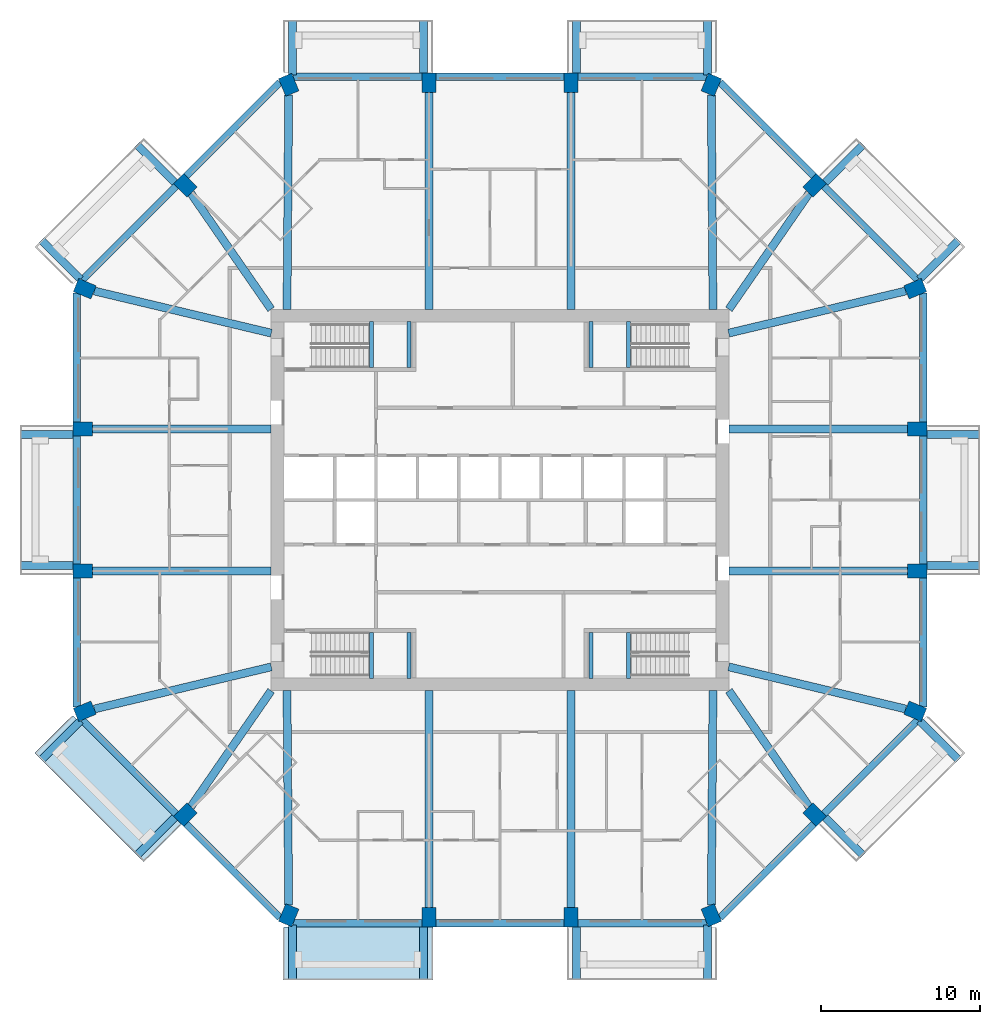
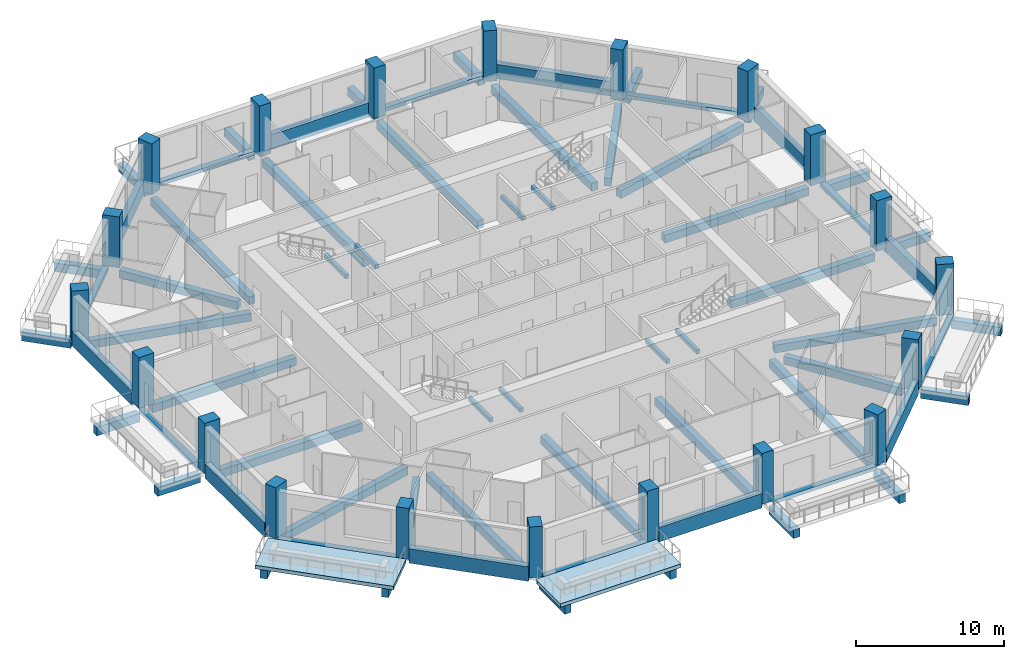
# One storey, part 1 of 13: 68 beams, 20 columns, 2 slabs.
"""IFC4 building model written with IfcOpenShell, lengths in metres."""

from ifc_helpers import new_model, si_unit, direction, frame, origin, origin_2d, place, context, subcontext, project, spatial, polyline, rectangle, outline, extrude, material, layer, layer_set, material_profile, profile_set, type_object, element, save


model = new_model("IFC4")

# Units and contexts
model_context = context("Model", 3, precision=1e-05, world=origin(), true_north=direction((0.0, 1.0)))
body_context = subcontext(model_context, "Body", "Model", "MODEL_VIEW")
ifc_project = project(units=[si_unit("LENGTHUNIT", "METRE"), si_unit("AREAUNIT", "SQUARE_METRE"), si_unit("VOLUMEUNIT", "CUBIC_METRE"), si_unit("PLANEANGLEUNIT", "RADIAN"), si_unit("MASSUNIT", "GRAM", prefix="KILO")], contexts=[model_context])

# Site, building, storey
site_placement = place(None, origin())
site = spatial("IfcSite", under=ifc_project, at=site_placement, CompositionType="ELEMENT")
building_placement = place(site_placement, origin())
building = spatial("IfcBuilding", under=site, at=building_placement, Name="Msitu Wima Residences", CompositionType="ELEMENT")
storey_placement = place(building_placement, frame((0.0, 0.0, 152.699951171875)))
storey = spatial("IfcBuildingStorey", under=building, at=storey_placement, Name="L35", CompositionType="ELEMENT", Elevation=152.699951171875)

# Columns
ifc_material_1 = material(Name="Concrete C70/85", Category="concrete")
ifc_material_profile_1 = material_profile(ifc_material_1, rectangle(XDim=0.89990234375, YDim=1.199951171875, at=origin_2d()), Name="RC 900x1200")
ifc_profile_set_1 = profile_set([ifc_material_profile_1], Name="Concrete C70/85")
column_type = type_object("IfcColumnType", Name="Column RC 900x1200 Concrete C70/85", PredefinedType="COLUMN", material=ifc_profile_set_1)
for number, where, z_axis, x_axis, name in (
    (1, (26.12353515625, -13.291259765625, 0.0), (0.0, 0.0, 1.0), (0.382683496864, 0.923879505795, 0.0), "Column L35 C-E0"),
    (2, (26.25, -4.46875, 0.0), (0.0, 0.0, 1.0), (0.0, 1.0, 0.0), "Column L35 C-E1"),
    (3, (26.25, 4.46875, 0.0), (0.0, 0.0, 1.0), (0.0, 1.0, 0.0), "Column L35 C-E2"),
    (4, (26.12353515625, 13.291259765625, 0.0), (0.0, 0.0, 1.0), (-0.382683496864, 0.923879505795, 0.0), "Column L35 C-NE0"),
    (5, (19.796875, 19.796875, 0.0), (0.0, 0.0, 1.0), (-0.707106781187, 0.707106781187, 0.0), "Column L35 C-NE1"),
    (6, (13.291259765625, 26.12353515625, 0.0), (0.0, 0.0, 1.0), (-0.923879505795, 0.382683496864, 0.0), "Column L35 C-N0"),
    (7, (4.46875, 26.25, 0.0), (0.0, 0.0, 1.0), (-1.0, 0.0, 0.0), "Column L35 C-N1"),
    (8, (-4.46875, 26.25, 0.0), (0.0, 0.0, 1.0), (-1.0, 0.0, 0.0), "Column L35 C-N2"),
    (9, (-13.291259765625, 26.12353515625, 0.0), (0.0, 0.0, 1.0), (-0.923879505795, -0.382683496864, 0.0), "Column L35 C-NW0"),
    (10, (-19.796875, 19.796875, 0.0), (0.0, 0.0, 1.0), (-0.707106781187, -0.707106781187, 0.0), "Column L35 C-NW1"),
    (11, (-26.12353515625, 13.291259765625, 0.0), (0.0, 0.0, 1.0), (-0.382683496864, -0.923879505795, 0.0), "Column L35 C-W0"),
    (12, (-26.25, 4.46875, 0.0), (0.0, 0.0, 1.0), (0.0, -1.0, 0.0), "Column L35 C-W1"),
    (13, (-26.25, -4.46875, 0.0), (0.0, 0.0, 1.0), (0.0, -1.0, 0.0), "Column L35 C-W2"),
    (14, (-26.12353515625, -13.291259765625, 0.0), (0.0, 0.0, 1.0), (0.382683496864, -0.923879505795, 0.0), "Column L35 C-SW0"),
    (15, (-19.796875, -19.796875, 0.0), (0.0, 0.0, 1.0), (0.707106781187, -0.707106781187, 0.0), "Column L35 C-SW1"),
    (16, (-13.291259765625, -26.12353515625, 0.0), (0.0, 0.0, 1.0), (0.923879505795, -0.382683496864, 0.0), "Column L35 C-S0"),
    (17, (-4.46875, -26.25, 0.0), (0.0, 0.0, 1.0), (1.0, 0.0, 0.0), "Column L35 C-S1"),
    (18, (4.46875, -26.25, 0.0), (0.0, 0.0, 1.0), (1.0, 0.0, 0.0), "Column L35 C-S2"),
    (19, (13.291259765625, -26.12353515625, 0.0), (0.0, 0.0, 1.0), (0.923879505795, 0.382683496864, 0.0), "Column L35 C-SE0"),
    (20, (19.796875, -19.796875, 0.0), (0.0, 0.0, 1.0), (0.707106781187, 0.707106781187, 0.0), "Column L35 C-SE1"),
):
    element("IfcColumn", number, at=place(storey_placement, frame(where, z_axis=z_axis, x_axis=x_axis)), inside=storey, type_object=column_type, Name=name, PredefinedType="COLUMN", context=body_context, shape_type="SweptSolid", body=[
        extrude(rectangle(XDim=0.89990234375, YDim=1.199951171875, at=origin_2d()), origin(), (0.0, 0.0, 1.0), 4.199951171875),
    ])

# Beams
ifc_material_2 = material(Name="Concrete C50/60", Category="concrete")
ifc_material_profile_2 = material_profile(ifc_material_2, rectangle(XDim=0.5, YDim=0.64990234375, at=origin_2d()), Name="RC 500x650")
ifc_profile_set_2 = profile_set([ifc_material_profile_2], Name="Concrete C50/60")
beam_type_1 = type_object("IfcBeamType", Name="Beam RC 500x650 Concrete C50/60", PredefinedType="BEAM", material=ifc_profile_set_2)
beam_1_placement = place(storey_placement, frame((25.5322265625, -13.150634765625, -0.574951171875), z_axis=(-0.972805528659, 0.231623408598, 0.0), x_axis=(-0.231623408598, -0.972805528659, 0.0)))
element("IfcBeam", 21, at=beam_1_placement, inside=storey, type_object=beam_type_1, Name="Beam L35 C-E0", PredefinedType="BEAM", context=body_context, shape_type="SweptSolid", body=[
    extrude(rectangle(XDim=0.5, YDim=0.64990234375, at=origin_2d()), origin(), (0.0, 0.0, 1.0), 11.455322265625),
])
for number, where, z_axis, x_axis, name in (
    (22, (25.64990234375, -4.46875, -0.574951171875), (-1.0, 0.0, 0.0), (0.0, -1.0, 0.0), "Beam L35 C-E1"),
    (23, (25.64990234375, 4.46875, -0.574951171875), (-1.0, 0.0, 0.0), (0.0, -1.0, 0.0), "Beam L35 C-E2"),
):
    element("IfcBeam", number, at=place(storey_placement, frame(where, z_axis=z_axis, x_axis=x_axis)), inside=storey, type_object=beam_type_1, Name=name, PredefinedType="BEAM", context=body_context, shape_type="SweptSolid", body=[
        extrude(rectangle(XDim=0.5, YDim=0.64990234375, at=origin_2d()), origin(), (0.0, 0.0, 1.0), 11.25),
    ])
beam_2_placement = place(storey_placement, frame((25.5322265625, 13.150634765625, -0.574951171875), z_axis=(-0.972805528659, -0.231623408598, 0.0), x_axis=(0.231623408598, -0.972805528659, 0.0)))
element("IfcBeam", 24, at=beam_2_placement, inside=storey, type_object=beam_type_1, Name="Beam L35 C-NE0", PredefinedType="BEAM", context=body_context, shape_type="SweptSolid", body=[
    extrude(rectangle(XDim=0.5, YDim=0.64990234375, at=origin_2d()), origin(), (0.0, 0.0, 1.0), 11.455322265625),
])
beam_3_placement = place(storey_placement, frame((19.44970703125, 19.29541015625, -0.574951171875), z_axis=(-0.569144158363, -0.822237755763, 0.0), x_axis=(0.822237755763, -0.569144158363, 0.0)))
element("IfcBeam", 25, at=beam_3_placement, inside=storey, type_object=beam_type_1, Name="Beam L35 C-NE1", PredefinedType="BEAM", context=body_context, shape_type="SweptSolid", body=[
    extrude(rectangle(XDim=0.5, YDim=0.64990234375, at=origin_2d()), origin(), (0.0, 0.0, 1.0), 8.87255859375),
])
beam_4_placement = place(storey_placement, frame((13.29638671875, 25.471923828125, -0.574951171875), z_axis=(0.007694865426, -0.999970394085, 0.0), x_axis=(0.999970394085, 0.007694865426, 0.0)))
element("IfcBeam", 26, at=beam_4_placement, inside=storey, type_object=beam_type_1, Name="Beam L35 C-N0", PredefinedType="BEAM", context=body_context, shape_type="SweptSolid", body=[
    extrude(rectangle(XDim=0.5, YDim=0.64990234375, at=origin_2d()), origin(), (0.0, 0.0, 1.0), 13.484375),
])
for number, where, z_axis, x_axis, name in (
    (27, (4.46875, 25.64990234375, -0.574951171875), (0.0, -1.0, 0.0), (1.0, 0.0, 0.0), "Beam L35 C-N1"),
    (28, (-4.46875, 25.64990234375, -0.574951171875), (0.0, -1.0, 0.0), (1.0, 0.0, 0.0), "Beam L35 C-N2"),
):
    element("IfcBeam", number, at=place(storey_placement, frame(where, z_axis=z_axis, x_axis=x_axis)), inside=storey, type_object=beam_type_1, Name=name, PredefinedType="BEAM", context=body_context, shape_type="SweptSolid", body=[
        extrude(rectangle(XDim=0.5, YDim=0.64990234375, at=origin_2d()), origin(), (0.0, 0.0, 1.0), 13.64990234375),
    ])
beam_5_placement = place(storey_placement, frame((-13.29638671875, 25.471923828125, -0.574951171875), z_axis=(-0.007694865426, -0.999970394085, 0.0), x_axis=(0.999970394085, -0.007694865426, 0.0)))
element("IfcBeam", 29, at=beam_5_placement, inside=storey, type_object=beam_type_1, Name="Beam L35 C-NW0", PredefinedType="BEAM", context=body_context, shape_type="SweptSolid", body=[
    extrude(rectangle(XDim=0.5, YDim=0.64990234375, at=origin_2d()), origin(), (0.0, 0.0, 1.0), 13.484375),
])
beam_6_placement = place(storey_placement, frame((-19.44970703125, 19.29541015625, -0.574951171875), z_axis=(0.569144158363, -0.822237755763, 0.0), x_axis=(0.822237755763, 0.569144158363, 0.0)))
element("IfcBeam", 30, at=beam_6_placement, inside=storey, type_object=beam_type_1, Name="Beam L35 C-NW1", PredefinedType="BEAM", context=body_context, shape_type="SweptSolid", body=[
    extrude(rectangle(XDim=0.5, YDim=0.64990234375, at=origin_2d()), origin(), (0.0, 0.0, 1.0), 8.87255859375),
])
beam_7_placement = place(storey_placement, frame((-25.5322265625, 13.150634765625, -0.574951171875), z_axis=(0.972805528659, -0.231623408598, 0.0), x_axis=(0.231623408598, 0.972805528659, 0.0)))
element("IfcBeam", 31, at=beam_7_placement, inside=storey, type_object=beam_type_1, Name="Beam L35 C-W0", PredefinedType="BEAM", context=body_context, shape_type="SweptSolid", body=[
    extrude(rectangle(XDim=0.5, YDim=0.64990234375, at=origin_2d()), origin(), (0.0, 0.0, 1.0), 11.455322265625),
])
for number, where, z_axis, x_axis, name in (
    (32, (-25.64990234375, 4.46875, -0.574951171875), (1.0, 0.0, 0.0), (0.0, 1.0, 0.0), "Beam L35 C-W1"),
    (33, (-25.64990234375, -4.46875, -0.574951171875), (1.0, 0.0, 0.0), (0.0, 1.0, 0.0), "Beam L35 C-W2"),
):
    element("IfcBeam", number, at=place(storey_placement, frame(where, z_axis=z_axis, x_axis=x_axis)), inside=storey, type_object=beam_type_1, Name=name, PredefinedType="BEAM", context=body_context, shape_type="SweptSolid", body=[
        extrude(rectangle(XDim=0.5, YDim=0.64990234375, at=origin_2d()), origin(), (0.0, 0.0, 1.0), 11.25),
    ])
beam_8_placement = place(storey_placement, frame((-25.5322265625, -13.150634765625, -0.574951171875), z_axis=(0.972805528659, 0.231623408598, 0.0), x_axis=(-0.231623408598, 0.972805528659, 0.0)))
element("IfcBeam", 34, at=beam_8_placement, inside=storey, type_object=beam_type_1, Name="Beam L35 C-SW0", PredefinedType="BEAM", context=body_context, shape_type="SweptSolid", body=[
    extrude(rectangle(XDim=0.5, YDim=0.64990234375, at=origin_2d()), origin(), (0.0, 0.0, 1.0), 11.455322265625),
])
beam_9_placement = place(storey_placement, frame((-19.44970703125, -19.29541015625, -0.574951171875), z_axis=(0.569144158363, 0.822237755763, 0.0), x_axis=(-0.822237755763, 0.569144158363, 0.0)))
element("IfcBeam", 35, at=beam_9_placement, inside=storey, type_object=beam_type_1, Name="Beam L35 C-SW1", PredefinedType="BEAM", context=body_context, shape_type="SweptSolid", body=[
    extrude(rectangle(XDim=0.5, YDim=0.64990234375, at=origin_2d()), origin(), (0.0, 0.0, 1.0), 8.87255859375),
])
beam_10_placement = place(storey_placement, frame((-13.29638671875, -25.471923828125, -0.574951171875), z_axis=(-0.007694865426, 0.999970394085, 0.0), x_axis=(-0.999970394085, -0.007694865426, 0.0)))
element("IfcBeam", 36, at=beam_10_placement, inside=storey, type_object=beam_type_1, Name="Beam L35 C-S0", PredefinedType="BEAM", context=body_context, shape_type="SweptSolid", body=[
    extrude(rectangle(XDim=0.5, YDim=0.64990234375, at=origin_2d()), origin(), (0.0, 0.0, 1.0), 13.484375),
])
for number, where, z_axis, x_axis, name in (
    (37, (-4.46875, -25.64990234375, -0.574951171875), (0.0, 1.0, 0.0), (-1.0, 0.0, 0.0), "Beam L35 C-S1"),
    (38, (4.46875, -25.64990234375, -0.574951171875), (0.0, 1.0, 0.0), (-1.0, 0.0, 0.0), "Beam L35 C-S2"),
):
    element("IfcBeam", number, at=place(storey_placement, frame(where, z_axis=z_axis, x_axis=x_axis)), inside=storey, type_object=beam_type_1, Name=name, PredefinedType="BEAM", context=body_context, shape_type="SweptSolid", body=[
        extrude(rectangle(XDim=0.5, YDim=0.64990234375, at=origin_2d()), origin(), (0.0, 0.0, 1.0), 13.64990234375),
    ])
beam_11_placement = place(storey_placement, frame((13.29638671875, -25.471923828125, -0.574951171875), z_axis=(0.007694865426, 0.999970394085, 0.0), x_axis=(-0.999970394085, 0.007694865426, 0.0)))
element("IfcBeam", 39, at=beam_11_placement, inside=storey, type_object=beam_type_1, Name="Beam L35 C-SE0", PredefinedType="BEAM", context=body_context, shape_type="SweptSolid", body=[
    extrude(rectangle(XDim=0.5, YDim=0.64990234375, at=origin_2d()), origin(), (0.0, 0.0, 1.0), 13.484375),
])
beam_12_placement = place(storey_placement, frame((19.44970703125, -19.29541015625, -0.574951171875), z_axis=(-0.569144158363, 0.822237755763, 0.0), x_axis=(-0.822237755763, -0.569144158363, 0.0)))
element("IfcBeam", 40, at=beam_12_placement, inside=storey, type_object=beam_type_1, Name="Beam L35 C-SE1", PredefinedType="BEAM", context=body_context, shape_type="SweptSolid", body=[
    extrude(rectangle(XDim=0.5, YDim=0.64990234375, at=origin_2d()), origin(), (0.0, 0.0, 1.0), 8.87255859375),
])
ifc_material_profile_3 = material_profile(ifc_material_2, rectangle(XDim=0.5, YDim=0.699951171875, at=origin_2d()), Name="RC 500x700")
ifc_profile_set_3 = profile_set([ifc_material_profile_3], Name="Concrete C50/60")
beam_type_2 = type_object("IfcBeamType", Name="Cantilever beam RC 500x700 Concrete C50/60", PredefinedType="BEAM", material=ifc_profile_set_3)
for number, where, z_axis, x_axis, name in (
    (41, (26.85009765625, -4.11865234375, -0.64990234375), (1.0, 0.0, 0.0), (0.0, 1.0, 0.0), "Cantilever beam L35 BA-E1 A"),
    (42, (26.85009765625, 4.11865234375, -0.64990234375), (1.0, 0.0, 0.0), (0.0, 1.0, 0.0), "Cantilever beam L35 BA-E1 B"),
):
    element("IfcBeam", number, at=place(storey_placement, frame(where, z_axis=z_axis, x_axis=x_axis)), inside=storey, type_object=beam_type_2, Name=name, PredefinedType="BEAM", context=body_context, shape_type="SweptSolid", body=[
        extrude(rectangle(XDim=0.5, YDim=0.699951171875, at=origin_2d()), origin(), (0.0, 0.0, 1.0), 3.349853515625),
    ])
beam_13_placement = place(storey_placement, frame((26.386474609375, 13.887451171875, -0.64990234375), z_axis=(0.707141968506, 0.707071592116, 0.0), x_axis=(-0.707071592116, 0.707141968506, 0.0)))
element("IfcBeam", 43, at=beam_13_placement, inside=storey, type_object=beam_type_2, Name="Cantilever beam L35 BA-NE0 A", PredefinedType="BEAM", context=body_context, shape_type="SweptSolid", body=[
    extrude(rectangle(XDim=0.5, YDim=0.699951171875, at=origin_2d()), origin(), (0.0, 0.0, 1.0), 3.468994140625),
])
beam_14_placement = place(storey_placement, frame((20.46875, 19.9736328125, -0.64990234375), z_axis=(0.707070340836, 0.707143219659, 0.0), x_axis=(-0.707143219659, 0.707070340836, 0.0)))
element("IfcBeam", 44, at=beam_14_placement, inside=storey, type_object=beam_type_2, Name="Cantilever beam L35 BA-NE0 B", PredefinedType="BEAM", context=body_context, shape_type="SweptSolid", body=[
    extrude(rectangle(XDim=0.5, YDim=0.699951171875, at=origin_2d()), origin(), (0.0, 0.0, 1.0), 3.349853515625),
])
beam_15_placement = place(storey_placement, frame((13.055908203125, 26.73095703125, -0.64990234375), z_axis=(0.0, 1.0, 0.0), x_axis=(-1.0, 0.0, 0.0)))
element("IfcBeam", 45, at=beam_15_placement, inside=storey, type_object=beam_type_2, Name="Cantilever beam L35 BA-N0 A", PredefinedType="BEAM", context=body_context, shape_type="SweptSolid", body=[
    extrude(rectangle(XDim=0.5, YDim=0.699951171875, at=origin_2d()), origin(), (0.0, 0.0, 1.0), 3.468994140625),
])
for number, where, z_axis, x_axis, name in (
    (46, (4.818603515625, 26.85009765625, -0.64990234375), (0.0, 1.0, 0.0), (-1.0, 0.0, 0.0), "Cantilever beam L35 BA-N0 B"),
    (47, (-4.818603515625, 26.85009765625, -0.64990234375), (0.0, 1.0, 0.0), (-1.0, 0.0, 0.0), "Cantilever beam L35 BA-N2 A"),
):
    element("IfcBeam", number, at=place(storey_placement, frame(where, z_axis=z_axis, x_axis=x_axis)), inside=storey, type_object=beam_type_2, Name=name, PredefinedType="BEAM", context=body_context, shape_type="SweptSolid", body=[
        extrude(rectangle(XDim=0.5, YDim=0.699951171875, at=origin_2d()), origin(), (0.0, 0.0, 1.0), 3.349853515625),
    ])
beam_16_placement = place(storey_placement, frame((-13.055908203125, 26.73095703125, -0.64990234375), z_axis=(0.0, 1.0, 0.0), x_axis=(-1.0, 0.0, 0.0)))
element("IfcBeam", 48, at=beam_16_placement, inside=storey, type_object=beam_type_2, Name="Cantilever beam L35 BA-N2 B", PredefinedType="BEAM", context=body_context, shape_type="SweptSolid", body=[
    extrude(rectangle(XDim=0.5, YDim=0.699951171875, at=origin_2d()), origin(), (0.0, 0.0, 1.0), 3.468994140625),
])
beam_17_placement = place(storey_placement, frame((-20.46875, 19.9736328125, -0.64990234375), z_axis=(-0.707070340836, 0.707143219659, 0.0), x_axis=(-0.707143219659, -0.707070340836, 0.0)))
element("IfcBeam", 49, at=beam_17_placement, inside=storey, type_object=beam_type_2, Name="Cantilever beam L35 BA-NW1 A", PredefinedType="BEAM", context=body_context, shape_type="SweptSolid", body=[
    extrude(rectangle(XDim=0.5, YDim=0.699951171875, at=origin_2d()), origin(), (0.0, 0.0, 1.0), 3.349853515625),
])
beam_18_placement = place(storey_placement, frame((-26.386474609375, 13.887451171875, -0.64990234375), z_axis=(-0.707141968506, 0.707071592116, 0.0), x_axis=(-0.707071592116, -0.707141968506, 0.0)))
element("IfcBeam", 50, at=beam_18_placement, inside=storey, type_object=beam_type_2, Name="Cantilever beam L35 BA-NW1 B", PredefinedType="BEAM", context=body_context, shape_type="SweptSolid", body=[
    extrude(rectangle(XDim=0.5, YDim=0.699951171875, at=origin_2d()), origin(), (0.0, 0.0, 1.0), 3.468994140625),
])
for number, where, z_axis, x_axis, name in (
    (51, (-26.85009765625, 4.11865234375, -0.64990234375), (-1.0, 0.0, 0.0), (0.0, -1.0, 0.0), "Cantilever beam L35 BA-W1 A"),
    (52, (-26.85009765625, -4.11865234375, -0.64990234375), (-1.0, 0.0, 0.0), (0.0, -1.0, 0.0), "Cantilever beam L35 BA-W1 B"),
):
    element("IfcBeam", number, at=place(storey_placement, frame(where, z_axis=z_axis, x_axis=x_axis)), inside=storey, type_object=beam_type_2, Name=name, PredefinedType="BEAM", context=body_context, shape_type="SweptSolid", body=[
        extrude(rectangle(XDim=0.5, YDim=0.699951171875, at=origin_2d()), origin(), (0.0, 0.0, 1.0), 3.349853515625),
    ])
beam_19_placement = place(storey_placement, frame((-26.386474609375, -13.887451171875, -0.64990234375), z_axis=(-0.707141968506, -0.707071592116, 0.0), x_axis=(0.707071592116, -0.707141968506, 0.0)))
element("IfcBeam", 53, at=beam_19_placement, inside=storey, type_object=beam_type_2, Name="Cantilever beam L35 BA-SW0 A", PredefinedType="BEAM", context=body_context, shape_type="SweptSolid", body=[
    extrude(rectangle(XDim=0.5, YDim=0.699951171875, at=origin_2d()), origin(), (0.0, 0.0, 1.0), 3.468994140625),
])
beam_20_placement = place(storey_placement, frame((-20.46875, -19.9736328125, -0.64990234375), z_axis=(-0.707070340836, -0.707143219659, 0.0), x_axis=(0.707143219659, -0.707070340836, 0.0)))
element("IfcBeam", 54, at=beam_20_placement, inside=storey, type_object=beam_type_2, Name="Cantilever beam L35 BA-SW0 B", PredefinedType="BEAM", context=body_context, shape_type="SweptSolid", body=[
    extrude(rectangle(XDim=0.5, YDim=0.699951171875, at=origin_2d()), origin(), (0.0, 0.0, 1.0), 3.349853515625),
])
beam_21_placement = place(storey_placement, frame((-13.055908203125, -26.73095703125, -0.64990234375), z_axis=(0.0, -1.0, 0.0), x_axis=(1.0, 0.0, 0.0)))
element("IfcBeam", 55, at=beam_21_placement, inside=storey, type_object=beam_type_2, Name="Cantilever beam L35 BA-S0 A", PredefinedType="BEAM", context=body_context, shape_type="SweptSolid", body=[
    extrude(rectangle(XDim=0.5, YDim=0.699951171875, at=origin_2d()), origin(), (0.0, 0.0, 1.0), 3.468994140625),
])
for number, where, z_axis, x_axis, name in (
    (56, (-4.818603515625, -26.85009765625, -0.64990234375), (0.0, -1.0, 0.0), (1.0, 0.0, 0.0), "Cantilever beam L35 BA-S0 B"),
    (57, (4.818603515625, -26.85009765625, -0.64990234375), (0.0, -1.0, 0.0), (1.0, 0.0, 0.0), "Cantilever beam L35 BA-S2 A"),
):
    element("IfcBeam", number, at=place(storey_placement, frame(where, z_axis=z_axis, x_axis=x_axis)), inside=storey, type_object=beam_type_2, Name=name, PredefinedType="BEAM", context=body_context, shape_type="SweptSolid", body=[
        extrude(rectangle(XDim=0.5, YDim=0.699951171875, at=origin_2d()), origin(), (0.0, 0.0, 1.0), 3.349853515625),
    ])
beam_22_placement = place(storey_placement, frame((13.055908203125, -26.73095703125, -0.64990234375), z_axis=(0.0, -1.0, 0.0), x_axis=(1.0, 0.0, 0.0)))
element("IfcBeam", 58, at=beam_22_placement, inside=storey, type_object=beam_type_2, Name="Cantilever beam L35 BA-S2 B", PredefinedType="BEAM", context=body_context, shape_type="SweptSolid", body=[
    extrude(rectangle(XDim=0.5, YDim=0.699951171875, at=origin_2d()), origin(), (0.0, 0.0, 1.0), 3.468994140625),
])
beam_23_placement = place(storey_placement, frame((20.46875, -19.9736328125, -0.64990234375), z_axis=(0.707070340836, -0.707143219659, 0.0), x_axis=(0.707143219659, 0.707070340836, 0.0)))
element("IfcBeam", 59, at=beam_23_placement, inside=storey, type_object=beam_type_2, Name="Cantilever beam L35 BA-SE1 A", PredefinedType="BEAM", context=body_context, shape_type="SweptSolid", body=[
    extrude(rectangle(XDim=0.5, YDim=0.699951171875, at=origin_2d()), origin(), (0.0, 0.0, 1.0), 3.349853515625),
])
beam_24_placement = place(storey_placement, frame((26.386474609375, -13.887451171875, -0.64990234375), z_axis=(0.707141968506, -0.707071592116, 0.0), x_axis=(0.707071592116, 0.707141968506, 0.0)))
element("IfcBeam", 60, at=beam_24_placement, inside=storey, type_object=beam_type_2, Name="Cantilever beam L35 BA-SE1 B", PredefinedType="BEAM", context=body_context, shape_type="SweptSolid", body=[
    extrude(rectangle(XDim=0.5, YDim=0.699951171875, at=origin_2d()), origin(), (0.0, 0.0, 1.0), 3.468994140625),
])
ifc_material_profile_4 = material_profile(ifc_material_2, rectangle(XDim=0.449951171875, YDim=0.300048828125, at=origin_2d()), Name="RC 450x300")
ifc_profile_set_4 = profile_set([ifc_material_profile_4], Name="Concrete C50/60")
beam_type_3 = type_object("IfcBeamType", Name="Edge beam RC 450x300 Concrete C50/60", PredefinedType="SPANDREL", material=ifc_profile_set_4)
beam_25_placement = place(storey_placement, frame((26.625, -4.0185546875, -0.14990234375), z_axis=(0.0, 1.0, 0.0), x_axis=(-1.0, 0.0, 0.0)))
element("IfcBeam", 61, at=beam_25_placement, inside=storey, type_object=beam_type_3, Name="Spandrel L35 E1", PredefinedType="SPANDREL", context=body_context, shape_type="SweptSolid", body=[
    extrude(rectangle(XDim=0.449951171875, YDim=0.300048828125, at=origin_2d()), origin(), (0.0, 0.0, 1.0), 8.037109375),
])
beam_26_placement = place(storey_placement, frame((26.2890625, 13.8349609375, -0.14990234375), z_axis=(-0.707106781187, 0.707106781187, 0.0), x_axis=(-0.707106781187, -0.707106781187, 0.0)))
element("IfcBeam", 62, at=beam_26_placement, inside=storey, type_object=beam_type_3, Name="Spandrel L35 NE0", PredefinedType="SPANDREL", context=body_context, shape_type="SweptSolid", body=[
    extrude(rectangle(XDim=0.449951171875, YDim=0.300048828125, at=origin_2d()), origin(), (0.0, 0.0, 1.0), 8.3564453125),
])
for number, where, z_axis, x_axis, name in (
    (63, (13.02392578125, 26.625, -0.14990234375), (-1.0, 0.0, 0.0), (0.0, -1.0, 0.0), "Spandrel L35 N0"),
    (64, (-4.918701171875, 26.625, -0.14990234375), (-1.0, 0.0, 0.0), (0.0, -1.0, 0.0), "Spandrel L35 N2"),
):
    element("IfcBeam", number, at=place(storey_placement, frame(where, z_axis=z_axis, x_axis=x_axis)), inside=storey, type_object=beam_type_3, Name=name, PredefinedType="SPANDREL", context=body_context, shape_type="SweptSolid", body=[
        extrude(rectangle(XDim=0.449951171875, YDim=0.300048828125, at=origin_2d()), origin(), (0.0, 0.0, 1.0), 8.105224609375),
    ])
beam_27_placement = place(storey_placement, frame((-20.380126953125, 19.743896484375, -0.14990234375), z_axis=(-0.707106781187, -0.707106781187, 0.0), x_axis=(0.707106781187, -0.707106781187, 0.0)))
element("IfcBeam", 65, at=beam_27_placement, inside=storey, type_object=beam_type_3, Name="Spandrel L35 NW1", PredefinedType="SPANDREL", context=body_context, shape_type="SweptSolid", body=[
    extrude(rectangle(XDim=0.449951171875, YDim=0.300048828125, at=origin_2d()), origin(), (0.0, 0.0, 1.0), 8.3564453125),
])
beam_28_placement = place(storey_placement, frame((-26.625, 4.0185546875, -0.14990234375), z_axis=(0.0, -1.0, 0.0), x_axis=(1.0, 0.0, 0.0)))
element("IfcBeam", 66, at=beam_28_placement, inside=storey, type_object=beam_type_3, Name="Spandrel L35 W1", PredefinedType="SPANDREL", context=body_context, shape_type="SweptSolid", body=[
    extrude(rectangle(XDim=0.449951171875, YDim=0.300048828125, at=origin_2d()), origin(), (0.0, 0.0, 1.0), 8.037109375),
])
beam_29_placement = place(storey_placement, frame((-26.2890625, -13.8349609375, -0.14990234375), z_axis=(0.707106781187, -0.707106781187, 0.0), x_axis=(0.707106781187, 0.707106781187, 0.0)))
element("IfcBeam", 67, at=beam_29_placement, inside=storey, type_object=beam_type_3, Name="Spandrel L35 SW0", PredefinedType="SPANDREL", context=body_context, shape_type="SweptSolid", body=[
    extrude(rectangle(XDim=0.449951171875, YDim=0.300048828125, at=origin_2d()), origin(), (0.0, 0.0, 1.0), 8.3564453125),
])
for number, where, z_axis, x_axis, name in (
    (68, (-13.02392578125, -26.625, -0.14990234375), (1.0, 0.0, 0.0), (0.0, 1.0, 0.0), "Spandrel L35 S0"),
    (69, (4.918701171875, -26.625, -0.14990234375), (1.0, 0.0, 0.0), (0.0, 1.0, 0.0), "Spandrel L35 S2"),
):
    element("IfcBeam", number, at=place(storey_placement, frame(where, z_axis=z_axis, x_axis=x_axis)), inside=storey, type_object=beam_type_3, Name=name, PredefinedType="SPANDREL", context=body_context, shape_type="SweptSolid", body=[
        extrude(rectangle(XDim=0.449951171875, YDim=0.300048828125, at=origin_2d()), origin(), (0.0, 0.0, 1.0), 8.105224609375),
    ])
beam_30_placement = place(storey_placement, frame((20.380126953125, -19.743896484375, -0.14990234375), z_axis=(0.707106781187, 0.707106781187, 0.0), x_axis=(-0.707106781187, 0.707106781187, 0.0)))
element("IfcBeam", 70, at=beam_30_placement, inside=storey, type_object=beam_type_3, Name="Spandrel L35 SE1", PredefinedType="SPANDREL", context=body_context, shape_type="SweptSolid", body=[
    extrude(rectangle(XDim=0.449951171875, YDim=0.300048828125, at=origin_2d()), origin(), (0.0, 0.0, 1.0), 8.3564453125),
])
ifc_material_3 = material(Name="Concrete C40/50", Category="concrete")
ifc_material_profile_5 = material_profile(ifc_material_3, rectangle(XDim=0.25, YDim=0.35009765625, at=origin_2d()), Name="RC 250x350")
ifc_profile_set_5 = profile_set([ifc_material_profile_5], Name="Concrete C40/50")
beam_type_4 = type_object("IfcBeamType", Name="Landing beam RC 250x350", PredefinedType="BEAM", material=ifc_profile_set_5)
for number, where, z_axis, x_axis, name in (
    (71, (-8.074951171875, 8.324951171875, 1.72509765625), (0.0, 1.0, 0.0), (-1.0, 0.0, 0.0), "Stair 1 landing beam"),
    (72, (-5.72509765625, 8.324951171875, 1.72509765625), (0.0, 1.0, 0.0), (-1.0, 0.0, 0.0), "Stair 1 landing beam"),
    (73, (-8.074951171875, -11.22509765625, 1.72509765625), (0.0, 1.0, 0.0), (-1.0, 0.0, 0.0), "Stair 2 landing beam"),
    (74, (-5.72509765625, -11.22509765625, 1.72509765625), (0.0, 1.0, 0.0), (-1.0, 0.0, 0.0), "Stair 2 landing beam"),
    (75, (8.074951171875, 8.324951171875, 1.72509765625), (0.0, 1.0, 0.0), (-1.0, 0.0, 0.0), "Stair 3 landing beam"),
    (76, (5.72509765625, 8.324951171875, 1.72509765625), (0.0, 1.0, 0.0), (-1.0, 0.0, 0.0), "Stair 3 landing beam"),
    (77, (8.074951171875, -11.22509765625, 1.72509765625), (0.0, 1.0, 0.0), (-1.0, 0.0, 0.0), "Stair 4 landing beam"),
    (78, (5.72509765625, -11.22509765625, 1.72509765625), (0.0, 1.0, 0.0), (-1.0, 0.0, 0.0), "Stair 4 landing beam"),
):
    element("IfcBeam", number, at=place(storey_placement, frame(where, z_axis=z_axis, x_axis=x_axis)), inside=storey, type_object=beam_type_4, Name=name, PredefinedType="BEAM", context=body_context, shape_type="SweptSolid", body=[
        extrude(rectangle(XDim=0.25, YDim=0.35009765625, at=origin_2d()), origin(), (0.0, 0.0, 1.0), 2.900146484375),
    ])
ifc_material_profile_6 = material_profile(ifc_material_2, rectangle(XDim=0.449951171875, YDim=1.199951171875, at=origin_2d()), Name="RC 450x1200")
ifc_profile_set_6 = profile_set([ifc_material_profile_6], Name="Concrete C50/60")
beam_type_5 = type_object("IfcBeamType", Name="Spandrel RC 450x1200 Concrete C50/60", PredefinedType="SPANDREL", material=ifc_profile_set_6)
for number, where, z_axis, x_axis, name in (
    (79, (26.625, -13.02392578125, 0.300048828125), (0.0, 1.0, 0.0), (-1.0, 0.0, 0.0), "Spandrel L35 E0"),
    (80, (26.625, 4.918701171875, 0.300048828125), (0.0, 1.0, 0.0), (-1.0, 0.0, 0.0), "Spandrel L35 E2"),
):
    element("IfcBeam", number, at=place(storey_placement, frame(where, z_axis=z_axis, x_axis=x_axis)), inside=storey, type_object=beam_type_5, Name=name, PredefinedType="SPANDREL", context=body_context, shape_type="SweptSolid", body=[
        extrude(rectangle(XDim=0.449951171875, YDim=1.199951171875, at=origin_2d()), origin(), (0.0, 0.0, 1.0), 8.105224609375),
    ])
beam_31_placement = place(storey_placement, frame((19.743896484375, 20.380126953125, 0.300048828125), z_axis=(-0.707106781187, 0.707106781187, 0.0), x_axis=(-0.707106781187, -0.707106781187, 0.0)))
element("IfcBeam", 81, at=beam_31_placement, inside=storey, type_object=beam_type_5, Name="Spandrel L35 NE1", PredefinedType="SPANDREL", context=body_context, shape_type="SweptSolid", body=[
    extrude(rectangle(XDim=0.449951171875, YDim=1.199951171875, at=origin_2d()), origin(), (0.0, 0.0, 1.0), 8.3564453125),
])
beam_32_placement = place(storey_placement, frame((4.0185546875, 26.625, 0.300048828125), z_axis=(-1.0, 0.0, 0.0), x_axis=(0.0, -1.0, 0.0)))
element("IfcBeam", 82, at=beam_32_placement, inside=storey, type_object=beam_type_5, Name="Spandrel L35 N1", PredefinedType="SPANDREL", context=body_context, shape_type="SweptSolid", body=[
    extrude(rectangle(XDim=0.449951171875, YDim=1.199951171875, at=origin_2d()), origin(), (0.0, 0.0, 1.0), 8.037109375),
])
beam_33_placement = place(storey_placement, frame((-13.8349609375, 26.2890625, 0.300048828125), z_axis=(-0.707106781187, -0.707106781187, 0.0), x_axis=(0.707106781187, -0.707106781187, 0.0)))
element("IfcBeam", 83, at=beam_33_placement, inside=storey, type_object=beam_type_5, Name="Spandrel L35 NW0", PredefinedType="SPANDREL", context=body_context, shape_type="SweptSolid", body=[
    extrude(rectangle(XDim=0.449951171875, YDim=1.199951171875, at=origin_2d()), origin(), (0.0, 0.0, 1.0), 8.3564453125),
])
for number, where, z_axis, x_axis, name in (
    (84, (-26.625, 13.02392578125, 0.300048828125), (0.0, -1.0, 0.0), (1.0, 0.0, 0.0), "Spandrel L35 W0"),
    (85, (-26.625, -4.918701171875, 0.300048828125), (0.0, -1.0, 0.0), (1.0, 0.0, 0.0), "Spandrel L35 W2"),
):
    element("IfcBeam", number, at=place(storey_placement, frame(where, z_axis=z_axis, x_axis=x_axis)), inside=storey, type_object=beam_type_5, Name=name, PredefinedType="SPANDREL", context=body_context, shape_type="SweptSolid", body=[
        extrude(rectangle(XDim=0.449951171875, YDim=1.199951171875, at=origin_2d()), origin(), (0.0, 0.0, 1.0), 8.105224609375),
    ])
beam_34_placement = place(storey_placement, frame((-19.743896484375, -20.380126953125, 0.300048828125), z_axis=(0.707106781187, -0.707106781187, 0.0), x_axis=(0.707106781187, 0.707106781187, 0.0)))
element("IfcBeam", 86, at=beam_34_placement, inside=storey, type_object=beam_type_5, Name="Spandrel L35 SW1", PredefinedType="SPANDREL", context=body_context, shape_type="SweptSolid", body=[
    extrude(rectangle(XDim=0.449951171875, YDim=1.199951171875, at=origin_2d()), origin(), (0.0, 0.0, 1.0), 8.3564453125),
])
beam_35_placement = place(storey_placement, frame((-4.0185546875, -26.625, 0.300048828125), z_axis=(1.0, 0.0, 0.0), x_axis=(0.0, 1.0, 0.0)))
element("IfcBeam", 87, at=beam_35_placement, inside=storey, type_object=beam_type_5, Name="Spandrel L35 S1", PredefinedType="SPANDREL", context=body_context, shape_type="SweptSolid", body=[
    extrude(rectangle(XDim=0.449951171875, YDim=1.199951171875, at=origin_2d()), origin(), (0.0, 0.0, 1.0), 8.037109375),
])
beam_36_placement = place(storey_placement, frame((13.8349609375, -26.2890625, 0.300048828125), z_axis=(0.707106781187, 0.707106781187, 0.0), x_axis=(-0.707106781187, 0.707106781187, 0.0)))
element("IfcBeam", 88, at=beam_36_placement, inside=storey, type_object=beam_type_5, Name="Spandrel L35 SE0", PredefinedType="SPANDREL", context=body_context, shape_type="SweptSolid", body=[
    extrude(rectangle(XDim=0.449951171875, YDim=1.199951171875, at=origin_2d()), origin(), (0.0, 0.0, 1.0), 8.3564453125),
])

# Slabs
ifc_layer = layer(ifc_material_3, 0.300048828125)
ifc_layer_set = layer_set([ifc_layer], Name="Concrete C40/50")
slab_type = type_object("IfcSlabType", Name="Balcony slab BS300", PredefinedType="FLOOR", material=ifc_layer_set)
slab_1_placement = place(storey_placement, frame((0.0, 0.0, -0.300048828125)))
element("IfcSlab", 89, at=slab_1_placement, inside=storey, type_object=slab_type, Name="Balcony SW0 L35", PredefinedType="FLOOR", context=body_context, shape_type="SweptSolid", body=[
    extrude(outline(polyline([(-22.4130859375, -22.766845703125), (-29.263671875, -15.916015625), (-27.003662109375, -13.656005859375), (-26.85009765625, -13.59228515625), (-20.04443359375, -20.39794921875), (-22.4130859375, -22.766845703125)])), origin(), (0.0, 0.0, 1.0), 0.300048828125),
])
slab_2_placement = place(storey_placement, frame((0.0, 0.0, -0.300048828125)))
element("IfcSlab", 90, at=slab_2_placement, inside=storey, type_object=slab_type, Name="Balcony S0 L35", PredefinedType="FLOOR", context=body_context, shape_type="SweptSolid", body=[
    extrude(outline(polyline([(-13.105224609375, -26.85009765625), (-13.105224609375, -26.85009765625), (-4.918701171875, -26.85009765625), (-4.918701171875, -26.85009765625), (-4.21875, -26.85009765625), (-4.21875, -30.199951171875), (-13.656005859375, -30.199951171875), (-13.656005859375, -27.003662109375), (-13.59228515625, -26.85009765625), (-13.105224609375, -26.85009765625), (-13.105224609375, -26.85009765625)])), origin(), (0.0, 0.0, 1.0), 0.300048828125),
])

save(model, "model.ifc")
